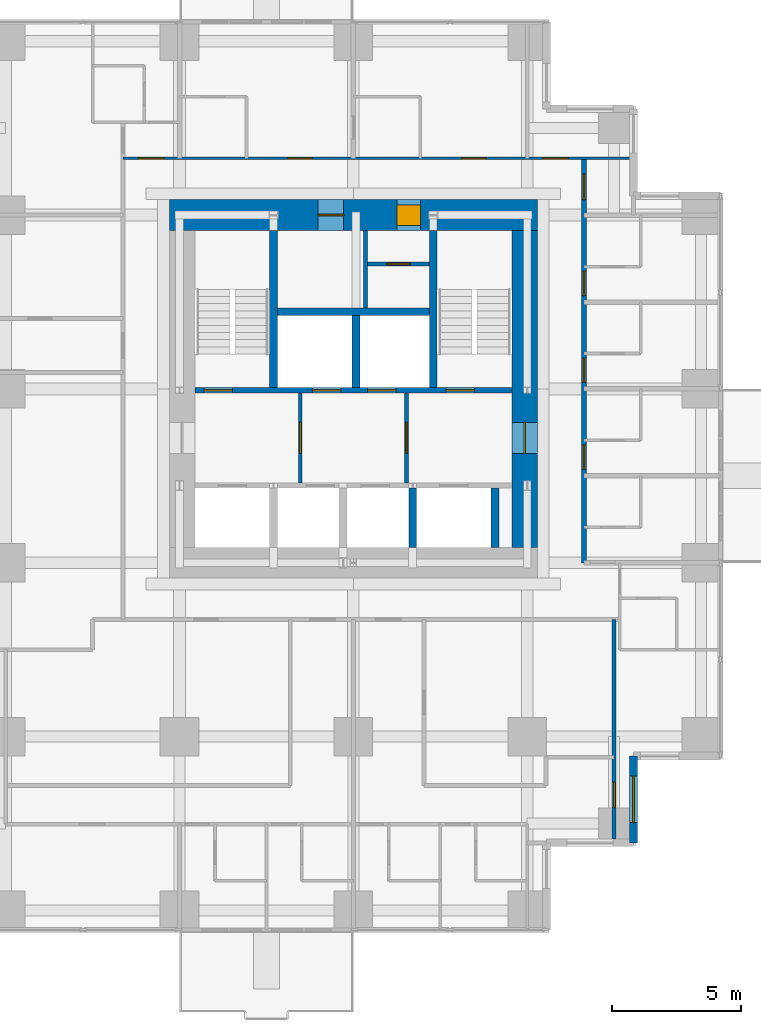
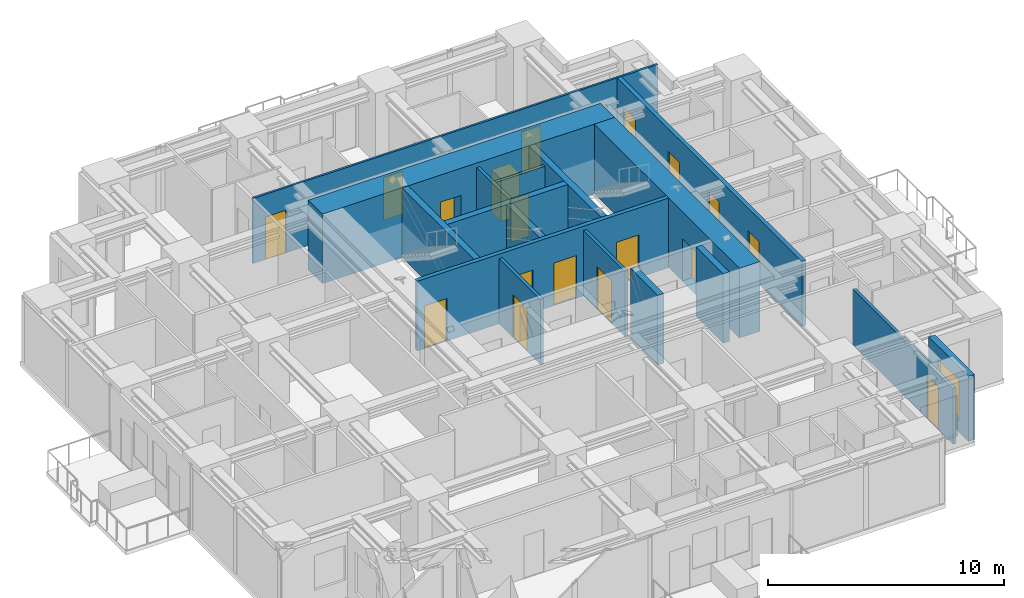
# One storey, part 7 of 10: 19 doors, 17 walls, 1 window, 20 openings.
"""IFC4 building model written with IfcOpenShell, lengths in metres."""

from ifc_helpers import new_model, si_unit, direction, frame, frame_2d, origin, place, context, subcontext, project, spatial, rectangle, extrude, material, layer, layer_set, type_object, element, fill, save


model = new_model("IFC4")

# Units and contexts
model_context = context("Model", 3, precision=1e-05, world=origin(), true_north=direction((0.0, 1.0)))
body_context = subcontext(model_context, "Body", "Model", "MODEL_VIEW")
ifc_project = project(units=[si_unit("LENGTHUNIT", "METRE"), si_unit("AREAUNIT", "SQUARE_METRE"), si_unit("VOLUMEUNIT", "CUBIC_METRE"), si_unit("PLANEANGLEUNIT", "RADIAN"), si_unit("MASSUNIT", "GRAM", prefix="KILO")], contexts=[model_context])

# Site, building, storey
site_placement = place(None, origin())
site = spatial("IfcSite", under=ifc_project, at=site_placement, CompositionType="ELEMENT")
building_placement = place(site_placement, origin())
building = spatial("IfcBuilding", under=site, at=building_placement, Name="Nyansa Garden Tower", CompositionType="ELEMENT")
storey_placement = place(building_placement, frame((0.0, 0.0, 163.800048828125)))
storey = spatial("IfcBuildingStorey", under=building, at=storey_placement, Name="L44", CompositionType="ELEMENT", Elevation=163.800048828125)

# Wall, openings, doors
ifc_material_1 = material(Name="Concrete C70/85", Category="concrete")
ifc_layer_1 = layer(ifc_material_1, 0.199951171875)
ifc_layer_set_1 = layer_set([ifc_layer_1], Name="Core inner wall CI200")
wall_type_1 = type_object("IfcWallType", Name="Core inner wall CI200", PredefinedType="SHEAR", material=ifc_layer_set_1)
wall_1_placement = place(storey_placement, frame((14.10009765625, 20.199951171875, 0.0), z_axis=(0.0, 0.0, 1.0), x_axis=(1.0, 0.0, 0.0)))
wall_1 = element("IfcWall", 1, at=wall_1_placement, inside=storey, type_object=wall_type_1, Name="Core inner wall L44", PredefinedType="SHEAR", context=body_context, shape_type="SweptSolid", body=[
    extrude(rectangle(XDim=12.2998046875, YDim=0.199951171875, at=frame_2d((6.14990234375, 0.0))), origin(), (0.0, 0.0, 1.0), 3.599853515625),
])
opening_1_placement = place(wall_1_placement, frame((4.56005859375, 0.0, 0.0)))
opening_1 = element("IfcOpeningElement", 2, at=opening_1_placement, cuts=wall_1, Name="Opening LD-B", PredefinedType="OPENING", context=body_context, shape_type="SweptSolid", body=[
    extrude(rectangle(XDim=1.10009765625, YDim=2.199951171875, at=frame_2d((0.550048828125, 1.10009765625))), frame((0.0, 0.10986328125, 0.0), z_axis=(0.0, -1.0, 0.0), x_axis=(1.0, 0.0, 0.0)), (0.0, 0.0, 1.0), 0.219970703125),
])
opening_2_placement = place(wall_1_placement, frame((6.699951171875, 0.0, 0.0)))
opening_2 = element("IfcOpeningElement", 3, at=opening_2_placement, cuts=wall_1, Name="Opening LD-B", PredefinedType="OPENING", context=body_context, shape_type="SweptSolid", body=[
    extrude(rectangle(XDim=1.10009765625, YDim=2.199951171875, at=frame_2d((0.550048828125, 1.10009765625))), frame((0.0, 0.10986328125, 0.0), z_axis=(0.0, -1.0, 0.0), x_axis=(1.0, 0.0, 0.0)), (0.0, 0.0, 1.0), 0.219970703125),
])
opening_3_placement = place(wall_1_placement, frame((0.35009765625, 0.0, 0.0)))
opening_3 = element("IfcOpeningElement", 4, at=opening_3_placement, cuts=wall_1, Name="Opening D05", PredefinedType="OPENING", context=body_context, shape_type="SweptSolid", body=[
    extrude(rectangle(XDim=1.10009765625, YDim=2.199951171875, at=frame_2d((0.550048828125, 1.10009765625))), frame((0.0, 0.10986328125, 0.0), z_axis=(0.0, -1.0, 0.0), x_axis=(1.0, 0.0, 0.0)), (0.0, 0.0, 1.0), 0.219970703125),
])
opening_4_placement = place(wall_1_placement, frame((9.75, 0.0, 0.0)))
opening_4 = element("IfcOpeningElement", 5, at=opening_4_placement, cuts=wall_1, Name="Opening D05", PredefinedType="OPENING", context=body_context, shape_type="SweptSolid", body=[
    extrude(rectangle(XDim=1.10009765625, YDim=2.199951171875, at=frame_2d((0.550048828125, 1.10009765625))), frame((0.0, 0.10986328125, 0.0), z_axis=(0.0, -1.0, 0.0), x_axis=(1.0, 0.0, 0.0)), (0.0, 0.0, 1.0), 0.219970703125),
])
ifc_material_2 = material(Name="Stainless steel centre-opening landing door of the high-rise lift, E 120", Category="steel")
door_type_1 = type_object("IfcDoorType", Name="Lift landing door LD-B 1100x2200", OperationType="DOUBLE_DOOR_SLIDING", PredefinedType="DOOR", material=ifc_material_2)
door_1_placement = place(opening_1_placement, origin())
door_1 = element("IfcDoor", 6, at=door_1_placement, inside=storey, type_object=door_type_1, Name="Landing door B3", OperationType="DOUBLE_DOOR_SLIDING", OverallHeight=2.199951171875, OverallWidth=1.10009765625, PredefinedType="DOOR", context=body_context, shape_type="SweptSolid", body=[
    extrude(rectangle(XDim=1.10009765625, YDim=2.199951171875, at=frame_2d((0.550048828125, 1.10009765625))), frame((0.0, 0.02490234375, 0.0), z_axis=(0.0, -1.0, 0.0), x_axis=(1.0, 0.0, 0.0)), (0.0, 0.0, 1.0), 0.050048828125),
])
fill(opening_1, door_1)
door_2_placement = place(opening_2_placement, origin())
door_2 = element("IfcDoor", 7, at=door_2_placement, inside=storey, type_object=door_type_1, Name="Landing door B4", OperationType="DOUBLE_DOOR_SLIDING", OverallHeight=2.199951171875, OverallWidth=1.10009765625, PredefinedType="DOOR", context=body_context, shape_type="SweptSolid", body=[
    extrude(rectangle(XDim=1.10009765625, YDim=2.199951171875, at=frame_2d((0.550048828125, 1.10009765625))), frame((0.0, 0.02490234375, 0.0), z_axis=(0.0, -1.0, 0.0), x_axis=(1.0, 0.0, 0.0)), (0.0, 0.0, 1.0), 0.050048828125),
])
fill(opening_2, door_2)
ifc_material_3 = material(Name="Steel door, 120 minute fire resisting", Category="steel")
door_type_2 = type_object("IfcDoorType", Name="Stair door D05 1100x2200", OperationType="SINGLE_SWING_LEFT", PredefinedType="DOOR", material=ifc_material_3)
door_3_placement = place(opening_3_placement, origin())
door_3 = element("IfcDoor", 8, at=door_3_placement, inside=storey, type_object=door_type_2, Name="Stair S1 door", OperationType="SINGLE_SWING_LEFT", OverallHeight=2.199951171875, OverallWidth=1.10009765625, PredefinedType="DOOR", context=body_context, shape_type="SweptSolid", body=[
    extrude(rectangle(XDim=1.10009765625, YDim=2.199951171875, at=frame_2d((0.550048828125, 1.10009765625))), frame((0.0, 0.02490234375, 0.0), z_axis=(0.0, -1.0, 0.0), x_axis=(1.0, 0.0, 0.0)), (0.0, 0.0, 1.0), 0.050048828125),
])
fill(opening_3, door_3)
door_4_placement = place(opening_4_placement, origin())
door_4 = element("IfcDoor", 9, at=door_4_placement, inside=storey, type_object=door_type_2, Name="Stair S2 door", OperationType="SINGLE_SWING_LEFT", OverallHeight=2.199951171875, OverallWidth=1.10009765625, PredefinedType="DOOR", context=body_context, shape_type="SweptSolid", body=[
    extrude(rectangle(XDim=1.10009765625, YDim=2.199951171875, at=frame_2d((0.550048828125, 1.10009765625))), frame((0.0, 0.02490234375, 0.0), z_axis=(0.0, -1.0, 0.0), x_axis=(1.0, 0.0, 0.0)), (0.0, 0.0, 1.0), 0.050048828125),
])
fill(opening_4, door_4)

# Walls
ifc_material_4 = material(Name="Concrete C70/85", Category="concrete")
ifc_layer_2 = layer(ifc_material_4, 0.300048828125)
ifc_layer_set_2 = layer_set([ifc_layer_2], Name="Core inner wall CI300")
wall_type_2 = type_object("IfcWallType", Name="Core inner wall CI300", PredefinedType="SHEAR", material=ifc_layer_set_2)
for number, where, z_axis, x_axis, name in (
    (10, (17.14990234375, 20.300048828125, 0.0), (0.0, 0.0, 1.0), (0.0, 1.0, 0.0), "Core inner wall L44"),
    (11, (23.35009765625, 20.300048828125, 0.0), (0.0, 0.0, 1.0), (0.0, 1.0, 0.0), "Core inner wall L44"),
):
    element("IfcWall", number, at=place(storey_placement, frame(where, z_axis=z_axis, x_axis=x_axis)), inside=storey, type_object=wall_type_2, Name=name, PredefinedType="SHEAR", context=body_context, shape_type="SweptSolid", body=[
        extrude(rectangle(XDim=6.099853515625, YDim=0.300048828125, at=frame_2d((3.0498046875, 0.0))), origin(), (0.0, 0.0, 1.0), 3.599853515625),
    ])
wall_2_placement = place(storey_placement, frame((20.35009765625, 20.300048828125, 0.0), z_axis=(0.0, 0.0, 1.0), x_axis=(0.0, 1.0, 0.0)))
element("IfcWall", 12, at=wall_2_placement, inside=storey, type_object=wall_type_2, Name="Core inner wall L44", PredefinedType="SHEAR", context=body_context, shape_type="SweptSolid", body=[
    extrude(rectangle(XDim=2.800048828125, YDim=0.300048828125, at=frame_2d((1.39990234375, 0.0))), origin(), (0.0, 0.0, 1.0), 3.599853515625),
])
wall_3_placement = place(storey_placement, frame((17.300048828125, 23.25, 0.0), z_axis=(0.0, 0.0, 1.0), x_axis=(1.0, 0.0, 0.0)))
element("IfcWall", 13, at=wall_3_placement, inside=storey, type_object=wall_type_2, Name="Core inner wall L44", PredefinedType="SHEAR", context=body_context, shape_type="SweptSolid", body=[
    extrude(rectangle(XDim=5.89990234375, YDim=0.300048828125, at=frame_2d((2.949951171875, 0.0))), origin(), (0.0, 0.0, 1.0), 3.599853515625),
])
for number, where, z_axis, x_axis, name in (
    (14, (22.550048828125, 14.10009765625, 0.0), (0.0, 0.0, 1.0), (0.0, 1.0, 0.0), "Core inner wall L44"),
    (15, (25.75, 14.10009765625, 0.0), (0.0, 0.0, 1.0), (0.0, 1.0, 0.0), "Core inner wall L44"),
):
    element("IfcWall", number, at=place(storey_placement, frame(where, z_axis=z_axis, x_axis=x_axis)), inside=storey, type_object=wall_type_2, Name=name, PredefinedType="SHEAR", context=body_context, shape_type="SweptSolid", body=[
        extrude(rectangle(XDim=2.2998046875, YDim=0.300048828125, at=frame_2d((1.14990234375, 0.0))), origin(), (0.0, 0.0, 1.0), 3.599853515625),
    ])

# Wall, opening, door
ifc_material_5 = material(Name="Concrete C80/95", Category="concrete")
ifc_layer_3 = layer(ifc_material_5, 1.0)
ifc_layer_set_3 = layer_set([ifc_layer_3], Name="Core wall CW1000")
wall_type_3 = type_object("IfcWallType", Name="Core wall CW1000", PredefinedType="SHEAR", material=ifc_layer_set_3)
wall_4_placement = place(storey_placement, frame((26.89990234375, 14.10009765625, 0.0), z_axis=(0.0, 0.0, 1.0), x_axis=(0.0, 1.0, 0.0)))
wall_4 = element("IfcWall", 16, at=wall_4_placement, inside=storey, type_object=wall_type_3, Name="Core wall E L44", PredefinedType="SHEAR", context=body_context, shape_type="SweptSolid", body=[
    extrude(rectangle(XDim=12.2998046875, YDim=1.0, at=frame_2d((6.14990234375, 0.0))), origin(), (0.0, 0.0, 1.0), 3.599853515625),
])
opening_5_placement = place(wall_4_placement, frame((3.64990234375, 0.0, 0.0)))
opening_5 = element("IfcOpeningElement", 17, at=opening_5_placement, cuts=wall_4, Name="Opening D06", PredefinedType="OPENING", context=body_context, shape_type="SweptSolid", body=[
    extrude(rectangle(XDim=1.199951171875, YDim=2.199951171875, at=frame_2d((0.60009765625, 1.10009765625))), frame((0.0, 0.510009765625, 0.0), z_axis=(0.0, -1.0, 0.0), x_axis=(1.0, 0.0, 0.0)), (0.0, 0.0, 1.0), 1.02001953125),
])
ifc_material_6 = material(Name="Steel door, 120 minute fire resisting", Category="steel")
door_type_3 = type_object("IfcDoorType", Name="Lobby door D06 1200x2200", OperationType="DOUBLE_DOOR_SINGLE_SWING", PredefinedType="DOOR", material=ifc_material_6)
door_5_placement = place(opening_5_placement, origin())
door_5 = element("IfcDoor", 18, at=door_5_placement, inside=storey, type_object=door_type_3, Name="Lift lobby door east", OperationType="DOUBLE_DOOR_SINGLE_SWING", OverallHeight=2.199951171875, OverallWidth=1.199951171875, PredefinedType="DOOR", context=body_context, shape_type="SweptSolid", body=[
    extrude(rectangle(XDim=1.199951171875, YDim=2.199951171875, at=frame_2d((0.60009765625, 1.10009765625))), frame((0.0, 0.02490234375, 0.0), z_axis=(0.0, -1.0, 0.0), x_axis=(1.0, 0.0, 0.0)), (0.0, 0.0, 1.0), 0.050048828125),
])
fill(opening_5, door_5)

# Wall, openings, doors
ifc_material_7 = material(Name="Concrete C80/95", Category="concrete")
ifc_layer_4 = layer(ifc_material_7, 1.199951171875)
ifc_layer_set_4 = layer_set([ifc_layer_4], Name="Core wall CW1200")
wall_type_4 = type_object("IfcWallType", Name="Core wall CW1200", PredefinedType="SHEAR", material=ifc_layer_set_4)
wall_5_placement = place(storey_placement, frame((27.39990234375, 27.0, 0.0), z_axis=(0.0, 0.0, 1.0), x_axis=(-1.0, 0.0, 0.0)))
wall_5 = element("IfcWall", 19, at=wall_5_placement, inside=storey, type_object=wall_type_4, Name="Core wall N L44", PredefinedType="SHEAR", context=body_context, shape_type="SweptSolid", body=[
    extrude(rectangle(XDim=14.2998046875, YDim=1.199951171875, at=frame_2d((7.14990234375, 0.0))), origin(), (0.0, 0.0, 1.0), 3.599853515625),
])
opening_6_placement = place(wall_5_placement, frame((4.550048828125, 0.0, 0.0)))
opening_6 = element("IfcOpeningElement", 20, at=opening_6_placement, cuts=wall_5, Name="Opening D15", PredefinedType="OPENING", context=body_context, shape_type="SweptSolid", body=[
    extrude(rectangle(XDim=0.89990234375, YDim=2.199951171875, at=frame_2d((0.449951171875, 1.10009765625))), frame((0.0, 0.60986328125, 0.0), z_axis=(0.0, -1.0, 0.0), x_axis=(1.0, 0.0, 0.0)), (0.0, 0.0, 1.0), 1.219970703125),
])
opening_7_placement = place(wall_5_placement, frame((7.52490234375, 0.0, 0.0)))
opening_7 = element("IfcOpeningElement", 21, at=opening_7_placement, cuts=wall_5, Name="Opening D07", PredefinedType="OPENING", context=body_context, shape_type="SweptSolid", body=[
    extrude(rectangle(XDim=1.0, YDim=2.199951171875, at=frame_2d((0.5, 1.10009765625))), frame((0.0, 0.60986328125, 0.0), z_axis=(0.0, -1.0, 0.0), x_axis=(1.0, 0.0, 0.0)), (0.0, 0.0, 1.0), 1.219970703125),
])
ifc_material_8 = material(Name="Timber flush door, 60 minute fire resisting, self-closing", Category="wood")
door_type_4 = type_object("IfcDoorType", Name="Core room door D15 900x2200", OperationType="SINGLE_SWING_LEFT", PredefinedType="DOOR", material=ifc_material_8)
door_6_placement = place(opening_6_placement, origin())
door_6 = element("IfcDoor", 22, at=door_6_placement, inside=storey, type_object=door_type_4, Name="Core room door", OperationType="SINGLE_SWING_LEFT", OverallHeight=2.199951171875, OverallWidth=0.89990234375, PredefinedType="DOOR", context=body_context, shape_type="SweptSolid", body=[
    extrude(rectangle(XDim=0.89990234375, YDim=2.199951171875, at=frame_2d((0.449951171875, 1.10009765625))), frame((0.0, 0.39990234375, 0.0), z_axis=(0.0, -1.0, 0.0), x_axis=(1.0, 0.0, 0.0)), (0.0, 0.0, 1.0), 0.800048828125),
])
fill(opening_6, door_6)
ifc_material_9 = material(Name="Steel door, 120 minute fire resisting", Category="steel")
door_type_5 = type_object("IfcDoorType", Name="Riser door D07 1000x2200", OperationType="SINGLE_SWING_LEFT", PredefinedType="DOOR", material=ifc_material_9)
door_7_placement = place(opening_7_placement, origin())
door_7 = element("IfcDoor", 23, at=door_7_placement, inside=storey, type_object=door_type_5, Name="Riser and refuse room door", OperationType="SINGLE_SWING_LEFT", OverallHeight=2.199951171875, OverallWidth=1.0, PredefinedType="DOOR", context=body_context, shape_type="SweptSolid", body=[
    extrude(rectangle(XDim=1.0, YDim=2.199951171875, at=frame_2d((0.5, 1.10009765625))), frame((0.0, 0.02490234375, 0.0), z_axis=(0.0, -1.0, 0.0), x_axis=(1.0, 0.0, 0.0)), (0.0, 0.0, 1.0), 0.050048828125),
])
fill(opening_7, door_7)

ifc_material_10 = material(Name="Concrete blockwork, plastered, 60 minute fire resisting", Category="masonry")
ifc_layer_5 = layer(ifc_material_10, 0.199951171875)
ifc_layer_set_5 = layer_set([ifc_layer_5], Name="Corridor wall FW200")
wall_type_5 = type_object("IfcWallType", Name="Corridor wall FW200", PredefinedType="PARTITIONING", material=ifc_layer_set_5)
wall_6_placement = place(storey_placement, frame((29.199951171875, 13.5, 0.0), z_axis=(0.0, 0.0, 1.0), x_axis=(0.0, 1.0, 0.0)))
wall_6 = element("IfcWall", 24, at=wall_6_placement, inside=storey, type_object=wall_type_5, Name="Corridor wall", PredefinedType="PARTITIONING", context=body_context, shape_type="SweptSolid", body=[
    extrude(rectangle(XDim=15.699951171875, YDim=0.199951171875, at=frame_2d((7.85009765625, 0.0))), origin(), (0.0, 0.0, 1.0), 3.375),
])
opening_8_placement = place(wall_6_placement, frame((3.625, 0.0, 0.0)))
opening_8 = element("IfcOpeningElement", 25, at=opening_8_placement, cuts=wall_6, Name="Opening D14", PredefinedType="OPENING", context=body_context, shape_type="SweptSolid", body=[
    extrude(rectangle(XDim=0.949951171875, YDim=2.199951171875, at=frame_2d((0.47509765625, 1.10009765625))), frame((0.0, 0.10986328125, 0.0), z_axis=(0.0, -1.0, 0.0), x_axis=(1.0, 0.0, 0.0)), (0.0, 0.0, 1.0), 0.219970703125),
])
opening_9_placement = place(wall_6_placement, frame((7.0, 0.0, 0.0)))
opening_9 = element("IfcOpeningElement", 26, at=opening_9_placement, cuts=wall_6, Name="Opening D14", PredefinedType="OPENING", context=body_context, shape_type="SweptSolid", body=[
    extrude(rectangle(XDim=0.949951171875, YDim=2.199951171875, at=frame_2d((0.47509765625, 1.10009765625))), frame((0.0, 0.10986328125, 0.0), z_axis=(0.0, -1.0, 0.0), x_axis=(1.0, 0.0, 0.0)), (0.0, 0.0, 1.0), 0.219970703125),
])
opening_10_placement = place(wall_6_placement, frame((10.375, 0.0, 0.0)))
opening_10 = element("IfcOpeningElement", 27, at=opening_10_placement, cuts=wall_6, Name="Opening D14", PredefinedType="OPENING", context=body_context, shape_type="SweptSolid", body=[
    extrude(rectangle(XDim=0.949951171875, YDim=2.199951171875, at=frame_2d((0.47509765625, 1.10009765625))), frame((0.0, 0.10986328125, 0.0), z_axis=(0.0, -1.0, 0.0), x_axis=(1.0, 0.0, 0.0)), (0.0, 0.0, 1.0), 0.219970703125),
])
opening_11_placement = place(wall_6_placement, frame((14.10009765625, 0.0, 0.0)))
opening_11 = element("IfcOpeningElement", 28, at=opening_11_placement, cuts=wall_6, Name="Opening D03", PredefinedType="OPENING", context=body_context, shape_type="SweptSolid", body=[
    extrude(rectangle(XDim=1.0, YDim=2.199951171875, at=frame_2d((0.5, 1.10009765625))), frame((0.0, 0.10986328125, 0.0), z_axis=(0.0, -1.0, 0.0), x_axis=(1.0, 0.0, 0.0)), (0.0, 0.0, 1.0), 0.219970703125),
])
ifc_material_11 = material(Name="Timber flush door, 60 minute fire resisting", Category="wood")
door_type_6 = type_object("IfcDoorType", Name="Cluster entrance door D03 1000x2200", OperationType="SINGLE_SWING_LEFT", PredefinedType="DOOR", material=ifc_material_11)
door_8_placement = place(opening_11_placement, origin())
door_8 = element("IfcDoor", 29, at=door_8_placement, inside=storey, type_object=door_type_6, Name="Door L44-041", OperationType="SINGLE_SWING_LEFT", OverallHeight=2.199951171875, OverallWidth=1.0, PredefinedType="DOOR", context=body_context, shape_type="SweptSolid", body=[
    extrude(rectangle(XDim=1.0, YDim=2.199951171875, at=frame_2d((0.5, 1.10009765625))), frame((0.0, 0.02490234375, 0.0), z_axis=(0.0, -1.0, 0.0), x_axis=(1.0, 0.0, 0.0)), (0.0, 0.0, 1.0), 0.050048828125),
])
fill(opening_11, door_8)
ifc_material_12 = material(Name="Timber flush door, 60 minute fire resisting, self-closing", Category="wood")
door_type_7 = type_object("IfcDoorType", Name="Studio entrance door D14 950x2200", OperationType="SINGLE_SWING_LEFT", PredefinedType="DOOR", material=ifc_material_12)
door_9_placement = place(opening_8_placement, origin())
door_9 = element("IfcDoor", 30, at=door_9_placement, inside=storey, type_object=door_type_7, Name="Door L44-035", OperationType="SINGLE_SWING_LEFT", OverallHeight=2.199951171875, OverallWidth=0.949951171875, PredefinedType="DOOR", context=body_context, shape_type="SweptSolid", body=[
    extrude(rectangle(XDim=0.949951171875, YDim=2.199951171875, at=frame_2d((0.47509765625, 1.10009765625))), frame((0.0, 0.02490234375, 0.0), z_axis=(0.0, -1.0, 0.0), x_axis=(1.0, 0.0, 0.0)), (0.0, 0.0, 1.0), 0.050048828125),
])
fill(opening_8, door_9)
door_10_placement = place(opening_9_placement, origin())
door_10 = element("IfcDoor", 31, at=door_10_placement, inside=storey, type_object=door_type_7, Name="Door L44-037", OperationType="SINGLE_SWING_LEFT", OverallHeight=2.199951171875, OverallWidth=0.949951171875, PredefinedType="DOOR", context=body_context, shape_type="SweptSolid", body=[
    extrude(rectangle(XDim=0.949951171875, YDim=2.199951171875, at=frame_2d((0.47509765625, 1.10009765625))), frame((0.0, 0.02490234375, 0.0), z_axis=(0.0, -1.0, 0.0), x_axis=(1.0, 0.0, 0.0)), (0.0, 0.0, 1.0), 0.050048828125),
])
fill(opening_9, door_10)
door_11_placement = place(opening_10_placement, origin())
door_11 = element("IfcDoor", 32, at=door_11_placement, inside=storey, type_object=door_type_7, Name="Door L44-039", OperationType="SINGLE_SWING_LEFT", OverallHeight=2.199951171875, OverallWidth=0.949951171875, PredefinedType="DOOR", context=body_context, shape_type="SweptSolid", body=[
    extrude(rectangle(XDim=0.949951171875, YDim=2.199951171875, at=frame_2d((0.47509765625, 1.10009765625))), frame((0.0, 0.02490234375, 0.0), z_axis=(0.0, -1.0, 0.0), x_axis=(1.0, 0.0, 0.0)), (0.0, 0.0, 1.0), 0.050048828125),
])
fill(opening_10, door_11)

# Wall, opening, door
ifc_material_13 = material(Name="Blockwork, plastered both sides", Category="masonry")
ifc_layer_6 = layer(ifc_material_13, 0.14990234375)
ifc_layer_set_6 = layer_set([ifc_layer_6], Name="Partition PW150")
wall_type_6 = type_object("IfcWallType", Name="Partition PW150", PredefinedType="PARTITIONING", material=ifc_layer_set_6)
wall_7_placement = place(storey_placement, frame((18.18505859375, 16.60009765625, 0.0), z_axis=(0.0, 0.0, 1.0), x_axis=(0.0, 1.0, 0.0)))
wall_7 = element("IfcWall", 33, at=wall_7_placement, inside=storey, type_object=wall_type_6, Name="Partition", PredefinedType="PARTITIONING", context=body_context, shape_type="SweptSolid", body=[
    extrude(rectangle(XDim=3.5, YDim=0.14990234375, at=frame_2d((1.75, 0.0))), origin(), (0.0, 0.0, 1.0), 3.375),
])
opening_12_placement = place(wall_7_placement, frame((1.14990234375, 0.0, 0.0)))
opening_12 = element("IfcOpeningElement", 34, at=opening_12_placement, cuts=wall_7, Name="Opening D06", PredefinedType="OPENING", context=body_context, shape_type="SweptSolid", body=[
    extrude(rectangle(XDim=1.199951171875, YDim=2.199951171875, at=frame_2d((0.60009765625, 1.10009765625))), frame((0.0, 0.0849609375, 0.0), z_axis=(0.0, -1.0, 0.0), x_axis=(1.0, 0.0, 0.0)), (0.0, 0.0, 1.0), 0.169921875),
])
door_12_placement = place(opening_12_placement, origin())
door_12 = element("IfcDoor", 35, at=door_12_placement, inside=storey, type_object=door_type_3, Name="Passenger lift lobby door", OperationType="DOUBLE_DOOR_SINGLE_SWING", OverallHeight=2.199951171875, OverallWidth=1.199951171875, PredefinedType="DOOR", context=body_context, shape_type="SweptSolid", body=[
    extrude(rectangle(XDim=1.199951171875, YDim=2.199951171875, at=frame_2d((0.60009765625, 1.10009765625))), frame((0.0, 0.02490234375, 0.0), z_axis=(0.0, -1.0, 0.0), x_axis=(1.0, 0.0, 0.0)), (0.0, 0.0, 1.0), 0.050048828125),
])
fill(opening_12, door_12)

wall_8_placement = place(storey_placement, frame((22.31494140625, 16.60009765625, 0.0), z_axis=(0.0, 0.0, 1.0), x_axis=(0.0, 1.0, 0.0)))
wall_8 = element("IfcWall", 36, at=wall_8_placement, inside=storey, type_object=wall_type_6, Name="Partition", PredefinedType="PARTITIONING", context=body_context, shape_type="SweptSolid", body=[
    extrude(rectangle(XDim=3.5, YDim=0.14990234375, at=frame_2d((1.75, 0.0))), origin(), (0.0, 0.0, 1.0), 3.375),
])
opening_13_placement = place(wall_8_placement, frame((1.14990234375, 0.0, 0.0)))
opening_13 = element("IfcOpeningElement", 37, at=opening_13_placement, cuts=wall_8, Name="Opening D06", PredefinedType="OPENING", context=body_context, shape_type="SweptSolid", body=[
    extrude(rectangle(XDim=1.199951171875, YDim=2.199951171875, at=frame_2d((0.60009765625, 1.10009765625))), frame((0.0, 0.0849609375, 0.0), z_axis=(0.0, -1.0, 0.0), x_axis=(1.0, 0.0, 0.0)), (0.0, 0.0, 1.0), 0.169921875),
])
door_13_placement = place(opening_13_placement, origin())
door_13 = element("IfcDoor", 38, at=door_13_placement, inside=storey, type_object=door_type_3, Name="Passenger lift lobby door", OperationType="DOUBLE_DOOR_SINGLE_SWING", OverallHeight=2.199951171875, OverallWidth=1.199951171875, PredefinedType="DOOR", context=body_context, shape_type="SweptSolid", body=[
    extrude(rectangle(XDim=1.199951171875, YDim=2.199951171875, at=frame_2d((0.60009765625, 1.10009765625))), frame((0.0, 0.02490234375, 0.0), z_axis=(0.0, -1.0, 0.0), x_axis=(1.0, 0.0, 0.0)), (0.0, 0.0, 1.0), 0.050048828125),
])
fill(opening_13, door_13)

# Wall
wall_9_placement = place(storey_placement, frame((20.72509765625, 23.39990234375, 0.0), z_axis=(0.0, 0.0, 1.0), x_axis=(0.0, 1.0, 0.0)))
element("IfcWall", 39, at=wall_9_placement, inside=storey, type_object=wall_type_6, Name="Partition", PredefinedType="PARTITIONING", context=body_context, shape_type="SweptSolid", body=[
    extrude(rectangle(XDim=3.0, YDim=0.14990234375, at=frame_2d((1.5, 0.0))), origin(), (0.0, 0.0, 1.0), 3.375),
])

# Wall, opening, door
wall_10_placement = place(storey_placement, frame((20.800048828125, 25.10009765625, 0.0), z_axis=(0.0, 0.0, 1.0), x_axis=(1.0, 0.0, 0.0)))
wall_10 = element("IfcWall", 40, at=wall_10_placement, inside=storey, type_object=wall_type_6, Name="Partition", PredefinedType="PARTITIONING", context=body_context, shape_type="SweptSolid", body=[
    extrude(rectangle(XDim=2.39990234375, YDim=0.14990234375, at=frame_2d((1.199951171875, 0.0))), origin(), (0.0, 0.0, 1.0), 3.375),
])
opening_14_placement = place(wall_10_placement, frame((0.75, 0.0, 0.0)))
opening_14 = element("IfcOpeningElement", 41, at=opening_14_placement, cuts=wall_10, Name="Opening D02", PredefinedType="OPENING", context=body_context, shape_type="SweptSolid", body=[
    extrude(rectangle(XDim=0.89990234375, YDim=2.199951171875, at=frame_2d((0.449951171875, 1.10009765625))), frame((0.0, 0.0849609375, 0.0), z_axis=(0.0, -1.0, 0.0), x_axis=(1.0, 0.0, 0.0)), (0.0, 0.0, 1.0), 0.169921875),
])
ifc_material_14 = material(Name="Timber flush door", Category="wood")
door_type_8 = type_object("IfcDoorType", Name="En-suite door D02 900x2200", OperationType="SINGLE_SWING_RIGHT", PredefinedType="DOOR", material=ifc_material_14)
door_14_placement = place(opening_14_placement, origin())
door_14 = element("IfcDoor", 42, at=door_14_placement, inside=storey, type_object=door_type_8, Name="Staff WC door", OperationType="SINGLE_SWING_RIGHT", OverallHeight=2.199951171875, OverallWidth=0.89990234375, PredefinedType="DOOR", context=body_context, shape_type="SweptSolid", body=[
    extrude(rectangle(XDim=0.89990234375, YDim=2.199951171875, at=frame_2d((0.449951171875, 1.10009765625))), frame((0.0, 0.02490234375, 0.0), z_axis=(0.0, -1.0, 0.0), x_axis=(1.0, 0.0, 0.0)), (0.0, 0.0, 1.0), 0.050048828125),
])
fill(opening_14, door_14)

wall_11_placement = place(storey_placement, frame((30.375, 2.77490234375, 0.0), z_axis=(0.0, 0.0, 1.0), x_axis=(0.0, 1.0, 0.0)))
wall_11 = element("IfcWall", 43, at=wall_11_placement, inside=storey, type_object=wall_type_6, Name="Partition", PredefinedType="PARTITIONING", context=body_context, shape_type="SweptSolid", body=[
    extrude(rectangle(XDim=8.525146484375, YDim=0.14990234375, at=frame_2d((4.2626953125, 0.0))), origin(), (0.0, 0.0, 1.0), 2.876953125),
])
opening_15_placement = place(wall_11_placement, frame((1.216064453125, 0.0, 0.0)))
opening_15 = element("IfcOpeningElement", 44, at=opening_15_placement, cuts=wall_11, Name="Opening D03", PredefinedType="OPENING", context=body_context, shape_type="SweptSolid", body=[
    extrude(rectangle(XDim=1.0, YDim=2.199951171875, at=frame_2d((0.5, 1.10009765625))), frame((0.0, 0.0849609375, 0.0), z_axis=(0.0, -1.0, 0.0), x_axis=(1.0, 0.0, 0.0)), (0.0, 0.0, 1.0), 0.169921875),
])
door_15_placement = place(opening_15_placement, origin())
door_15 = element("IfcDoor", 45, at=door_15_placement, inside=storey, type_object=door_type_6, Name="Door L44-030", OperationType="SINGLE_SWING_LEFT", OverallHeight=2.199951171875, OverallWidth=1.0, PredefinedType="DOOR", context=body_context, shape_type="SweptSolid", body=[
    extrude(rectangle(XDim=1.0, YDim=2.199951171875, at=frame_2d((0.5, 1.10009765625))), frame((0.0, 0.02490234375, 0.0), z_axis=(0.0, -1.0, 0.0), x_axis=(1.0, 0.0, 0.0)), (0.0, 0.0, 1.0), 0.050048828125),
])
fill(opening_15, door_15)

# Wall, opening, window
ifc_material_15 = material(Name="Turquoise glazed tile on concrete blockwork", Category="masonry")
ifc_layer_7 = layer(ifc_material_15, 0.300048828125)
ifc_layer_set_7 = layer_set([ifc_layer_7], Name="Tiled corner wall TW300")
wall_type_7 = type_object("IfcWallType", Name="Tiled corner wall TW300", PredefinedType="SOLIDWALL", material=ifc_layer_set_7)
wall_12_placement = place(storey_placement, frame((31.125, 2.625, 0.0), z_axis=(0.0, 0.0, 1.0), x_axis=(0.0, 1.0, 0.0)))
wall_12 = element("IfcWall", 46, at=wall_12_placement, inside=storey, type_object=wall_type_7, Name="Tiled corner wall L44", PredefinedType="SOLIDWALL", context=body_context, shape_type="SweptSolid", body=[
    extrude(rectangle(XDim=3.375, YDim=0.300048828125, at=frame_2d((1.6875, 0.0))), origin(), (0.0, 0.0, 1.0), 3.375),
])
opening_16_placement = place(wall_12_placement, frame((0.78759765625, 0.0, 0.60009765625)))
opening_16 = element("IfcOpeningElement", 47, at=opening_16_placement, cuts=wall_12, Name="Opening W2", PredefinedType="OPENING", context=body_context, shape_type="SweptSolid", body=[
    extrude(rectangle(XDim=1.800048828125, YDim=2.10009765625, at=frame_2d((0.89990234375, 1.050048828125))), frame((0.0, 0.159912109375, 0.0), z_axis=(0.0, -1.0, 0.0), x_axis=(1.0, 0.0, 0.0)), (0.0, 0.0, 1.0), 0.320068359375),
])
ifc_material_16 = material(Name="Black aluminium frame, dark tinted double glazing", Category="aluminium")
window_type = type_object("IfcWindowType", Name="Window W2 1800x2100", PartitioningType="SINGLE_PANEL", PredefinedType="WINDOW", material=ifc_material_16)
window_placement = place(opening_16_placement, origin())
window = element("IfcWindow", 48, at=window_placement, inside=storey, type_object=window_type, Name="Corner window L44", OverallHeight=2.10009765625, OverallWidth=1.800048828125, PartitioningType="SINGLE_PANEL", PredefinedType="WINDOW", context=body_context, shape_type="SweptSolid", body=[
    extrude(rectangle(XDim=1.800048828125, YDim=2.10009765625, at=frame_2d((0.89990234375, 1.050048828125))), frame((0.0, 0.030029296875, 0.0), z_axis=(0.0, -1.0, 0.0), x_axis=(1.0, 0.0, 0.0)), (0.0, 0.0, 1.0), 0.06005859375),
])
fill(opening_16, window)

# Wall, openings, doors
ifc_material_17 = material(Name="Moisture resistant board on steel studs, tiled", Category="steel")
ifc_layer_8 = layer(ifc_material_17, 0.10009765625)
ifc_layer_set_8 = layer_set([ifc_layer_8], Name="Wet wall PW100")
wall_type_8 = type_object("IfcWallType", Name="Wet wall PW100", PredefinedType="PARTITIONING", material=ifc_layer_set_8)
wall_13_placement = place(storey_placement, frame((11.300048828125, 29.199951171875, 0.0), z_axis=(0.0, 0.0, 1.0), x_axis=(1.0, 0.0, 0.0)))
wall_13 = element("IfcWall", 49, at=wall_13_placement, inside=storey, type_object=wall_type_8, Name="Wet wall", PredefinedType="PARTITIONING", context=body_context, shape_type="SweptSolid", body=[
    extrude(rectangle(XDim=19.808837890625, YDim=0.10009765625, at=frame_2d((9.904296875, 0.0))), origin(), (0.0, 0.0, 1.0), 3.375),
])
opening_17_placement = place(wall_13_placement, frame((16.300048828125, 0.0, 0.0)))
opening_17 = element("IfcOpeningElement", 50, at=opening_17_placement, cuts=wall_13, Name="Opening D03", PredefinedType="OPENING", context=body_context, shape_type="SweptSolid", body=[
    extrude(rectangle(XDim=1.0, YDim=2.199951171875, at=frame_2d((0.5, 1.10009765625))), frame((0.0, 0.06005859375, 0.0), z_axis=(0.0, -1.0, 0.0), x_axis=(1.0, 0.0, 0.0)), (0.0, 0.0, 1.0), 0.1201171875),
])
opening_18_placement = place(wall_13_placement, frame((6.39990234375, 0.0, 0.0)))
opening_18 = element("IfcOpeningElement", 51, at=opening_18_placement, cuts=wall_13, Name="Opening D14", PredefinedType="OPENING", context=body_context, shape_type="SweptSolid", body=[
    extrude(rectangle(XDim=0.949951171875, YDim=2.199951171875, at=frame_2d((0.47509765625, 1.10009765625))), frame((0.0, 0.06005859375, 0.0), z_axis=(0.0, -1.0, 0.0), x_axis=(1.0, 0.0, 0.0)), (0.0, 0.0, 1.0), 0.1201171875),
])
opening_19_placement = place(wall_13_placement, frame((13.14990234375, 0.0, 0.0)))
opening_19 = element("IfcOpeningElement", 52, at=opening_19_placement, cuts=wall_13, Name="Opening D14", PredefinedType="OPENING", context=body_context, shape_type="SweptSolid", body=[
    extrude(rectangle(XDim=0.949951171875, YDim=2.199951171875, at=frame_2d((0.47509765625, 1.10009765625))), frame((0.0, 0.06005859375, 0.0), z_axis=(0.0, -1.0, 0.0), x_axis=(1.0, 0.0, 0.0)), (0.0, 0.0, 1.0), 0.1201171875),
])
opening_20_placement = place(wall_13_placement, frame((0.60009765625, 0.0, 0.0)))
opening_20 = element("IfcOpeningElement", 53, at=opening_20_placement, cuts=wall_13, Name="Opening D03", PredefinedType="OPENING", context=body_context, shape_type="SweptSolid", body=[
    extrude(rectangle(XDim=1.0, YDim=2.199951171875, at=frame_2d((0.5, 1.10009765625))), frame((0.0, 0.06005859375, 0.0), z_axis=(0.0, -1.0, 0.0), x_axis=(1.0, 0.0, 0.0)), (0.0, 0.0, 1.0), 0.1201171875),
])
door_16_placement = place(opening_17_placement, origin())
door_16 = element("IfcDoor", 54, at=door_16_placement, inside=storey, type_object=door_type_6, Name="Door L44-042", OperationType="SINGLE_SWING_LEFT", OverallHeight=2.199951171875, OverallWidth=1.0, PredefinedType="DOOR", context=body_context, shape_type="SweptSolid", body=[
    extrude(rectangle(XDim=1.0, YDim=2.199951171875, at=frame_2d((0.5, 1.10009765625))), frame((0.0, 0.02490234375, 0.0), z_axis=(0.0, -1.0, 0.0), x_axis=(1.0, 0.0, 0.0)), (0.0, 0.0, 1.0), 0.050048828125),
])
fill(opening_17, door_16)
door_17_placement = place(opening_20_placement, origin())
door_17 = element("IfcDoor", 55, at=door_17_placement, inside=storey, type_object=door_type_6, Name="Door L44-049", OperationType="SINGLE_SWING_LEFT", OverallHeight=2.199951171875, OverallWidth=1.0, PredefinedType="DOOR", context=body_context, shape_type="SweptSolid", body=[
    extrude(rectangle(XDim=1.0, YDim=2.199951171875, at=frame_2d((0.5, 1.10009765625))), frame((0.0, 0.02490234375, 0.0), z_axis=(0.0, -1.0, 0.0), x_axis=(1.0, 0.0, 0.0)), (0.0, 0.0, 1.0), 0.050048828125),
])
fill(opening_20, door_17)
door_18_placement = place(opening_18_placement, origin())
door_18 = element("IfcDoor", 56, at=door_18_placement, inside=storey, type_object=door_type_7, Name="Door L44-043", OperationType="SINGLE_SWING_LEFT", OverallHeight=2.199951171875, OverallWidth=0.949951171875, PredefinedType="DOOR", context=body_context, shape_type="SweptSolid", body=[
    extrude(rectangle(XDim=0.949951171875, YDim=2.199951171875, at=frame_2d((0.47509765625, 1.10009765625))), frame((0.0, 0.02490234375, 0.0), z_axis=(0.0, -1.0, 0.0), x_axis=(1.0, 0.0, 0.0)), (0.0, 0.0, 1.0), 0.050048828125),
])
fill(opening_18, door_18)
door_19_placement = place(opening_19_placement, origin())
door_19 = element("IfcDoor", 57, at=door_19_placement, inside=storey, type_object=door_type_7, Name="Door L44-045", OperationType="SINGLE_SWING_LEFT", OverallHeight=2.199951171875, OverallWidth=0.949951171875, PredefinedType="DOOR", context=body_context, shape_type="SweptSolid", body=[
    extrude(rectangle(XDim=0.949951171875, YDim=2.199951171875, at=frame_2d((0.47509765625, 1.10009765625))), frame((0.0, 0.02490234375, 0.0), z_axis=(0.0, -1.0, 0.0), x_axis=(1.0, 0.0, 0.0)), (0.0, 0.0, 1.0), 0.050048828125),
])
fill(opening_19, door_19)

save(model, "model.ifc")
